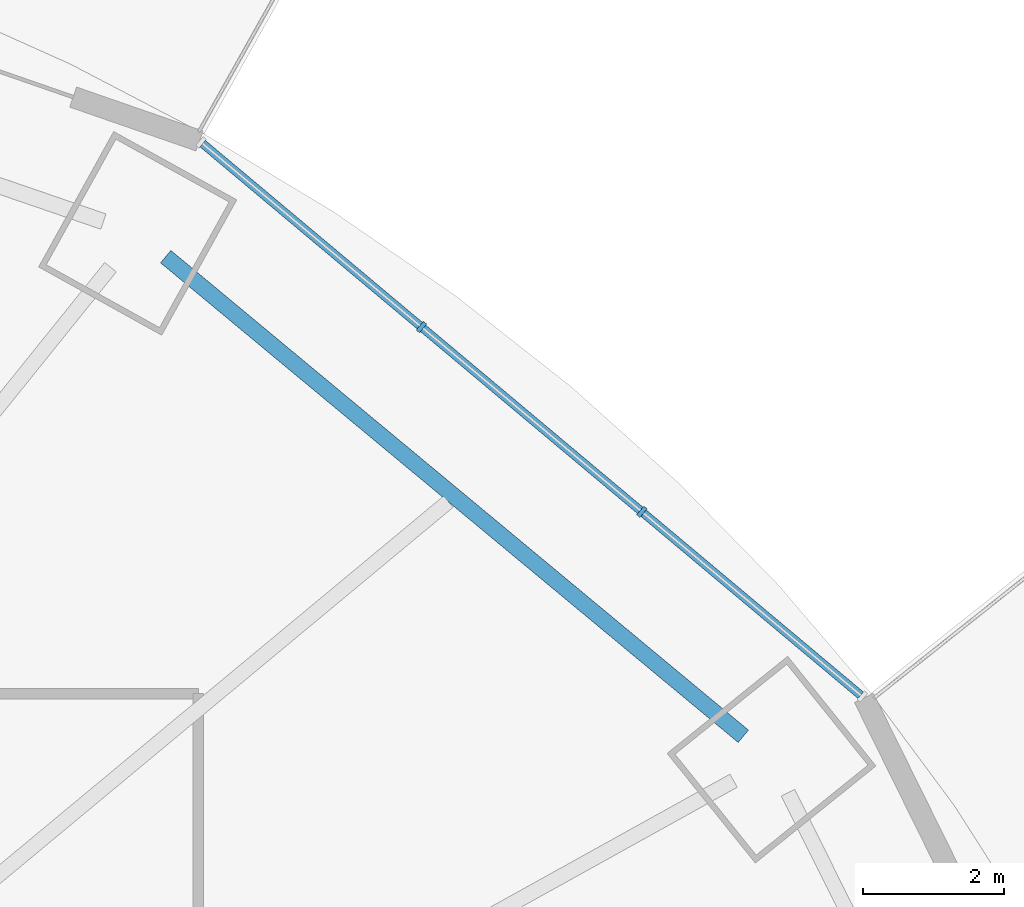
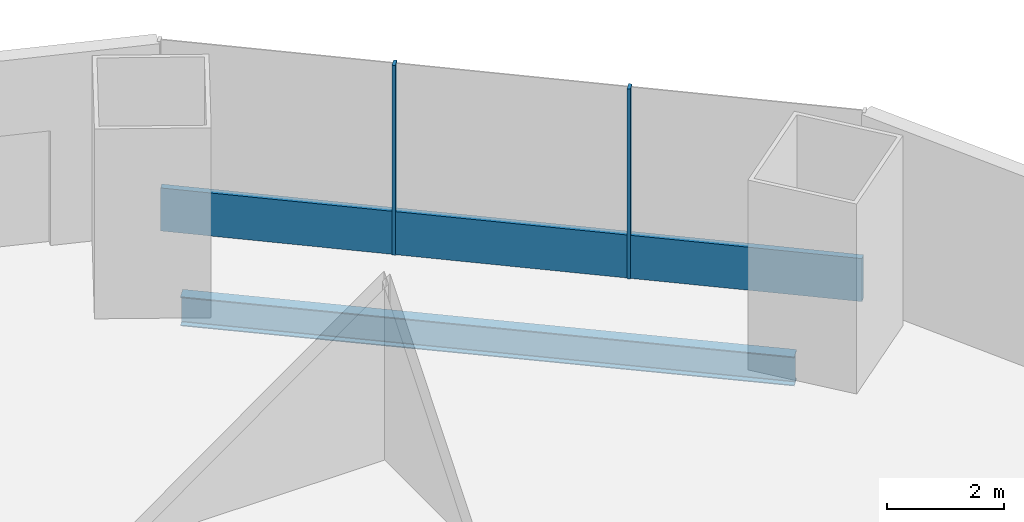
# One storey, part 10 of 22: 3 members, 1 beam, 1 element without a shape of its own.
"""IFC4 building model written with IfcOpenShell, lengths in metres."""

from ifc_helpers import new_model, si_unit, direction, frame, origin, origin_2d, place, context, subcontext, project, spatial, rectangle, i_section, extrude, material, material_profile, profile_set, type_object, element, aggregate, save


model = new_model("IFC4")

# Units and contexts
model_context = context("Model", 3, precision=1e-05, world=origin(), true_north=direction((0.0, 1.0)))
body_context = subcontext(model_context, "Body", "Model", "MODEL_VIEW")
ifc_project = project(units=[si_unit("LENGTHUNIT", "METRE"), si_unit("AREAUNIT", "SQUARE_METRE"), si_unit("VOLUMEUNIT", "CUBIC_METRE"), si_unit("PLANEANGLEUNIT", "RADIAN"), si_unit("MASSUNIT", "GRAM", prefix="KILO")], contexts=[model_context])

# Site, building, storey
site_placement = place(None, origin())
site = spatial("IfcSite", under=ifc_project, at=site_placement, CompositionType="ELEMENT")
building_placement = place(site_placement, origin())
building = spatial("IfcBuilding", under=site, at=building_placement, Name="Marenthal Gate Tower", CompositionType="ELEMENT")
storey_placement = place(building_placement, frame((0.0, 0.0, 111.85009765625)))
storey = spatial("IfcBuildingStorey", under=building, at=storey_placement, Name="L23", CompositionType="ELEMENT", Elevation=111.85009765625)

# Curtain wall, members
ifc_material_1 = material(Name="Aluminium and glass", Category="aluminium")
curtain_wall_type = type_object("IfcCurtainWallType", Name="Curtain wall typical low", PredefinedType="NOTDEFINED", material=ifc_material_1)
curtain_wall_placement = place(storey_placement, origin())
curtain_wall = element("IfcCurtainWall", 1, at=curtain_wall_placement, inside=storey, type_object=curtain_wall_type, Name="Curtain wall L23 bay 2", PredefinedType="NOTDEFINED")
ifc_material_2 = material(Name="Aluminium", Category="aluminium")
ifc_material_profile_1 = material_profile(ifc_material_2, rectangle(XDim=0.159912109375, YDim=0.06005859375, at=origin_2d()), Name="60x160 aluminium mullion")
ifc_profile_set_1 = profile_set([ifc_material_profile_1], Name="Aluminium")
member_type_1 = type_object("IfcMemberType", Name="Mullion 60x160 typical low", PredefinedType="MULLION", material=ifc_profile_set_1)
member_1_placement = place(storey_placement, frame((25.302490234375, 18.5830078125, 0.0), z_axis=(0.0, 0.0, 1.0), x_axis=(-0.642377082487, -0.766388728972, 0.0)))
member_1 = element("IfcMember", 2, at=member_1_placement, type_object=member_type_1, Name="Mullion L23 bay 2.2", PredefinedType="MULLION", context=body_context, shape_type="SweptSolid", body=[
    extrude(rectangle(XDim=0.159912109375, YDim=0.06005859375, at=origin_2d()), origin(), (0.0, 0.0, 1.0), 3.969970703125),
])
member_2_placement = place(storey_placement, frame((22.170166015625, 21.20849609375, 0.0), z_axis=(0.0, 0.0, 1.0), x_axis=(-0.642377082487, -0.766388728972, 0.0)))
member_2 = element("IfcMember", 3, at=member_2_placement, type_object=member_type_1, Name="Mullion L23 bay 2.3", PredefinedType="MULLION", context=body_context, shape_type="SweptSolid", body=[
    extrude(rectangle(XDim=0.159912109375, YDim=0.06005859375, at=origin_2d()), origin(), (0.0, 0.0, 1.0), 3.969970703125),
])
ifc_material_3 = material(Name="Aluminium", Category="aluminium")
ifc_material_profile_2 = material_profile(ifc_material_3, rectangle(XDim=0.1201171875, YDim=0.89990234375, at=origin_2d()), Name="120x900 aluminium transom")
ifc_profile_set_2 = profile_set([ifc_material_profile_2], Name="Aluminium")
member_type_2 = type_object("IfcMemberType", Name="Transom 120x900 typical low", PredefinedType="USERDEFINED", material=ifc_profile_set_2)
member_3_placement = place(storey_placement, frame((28.411865234375, 15.976806640625, 0.449951171875), z_axis=(-0.766391084467, 0.64237427225, 0.0), x_axis=(-0.64237427225, -0.766391084467, 0.0)))
member_3 = element("IfcMember", 4, at=member_3_placement, type_object=member_type_2, Name="Transom L23 bay 2", ObjectType="TRANSOM", PredefinedType="USERDEFINED", context=body_context, shape_type="SweptSolid", body=[
    extrude(rectangle(XDim=0.1201171875, YDim=0.89990234375, at=origin_2d()), origin(), (0.0, 0.0, 1.0), 12.201416015625),
])
aggregate(curtain_wall, [member_1, member_2, member_3])

# Beam
ifc_material_4 = material(Name="Steel S355", Category="steel")
ifc_material_profile_3 = material_profile(ifc_material_4, i_section(OverallWidth=0.22900390625, OverallDepth=0.612060546875, WebThickness=0.011962890625, FlangeThickness=0.01953125, FilletRadius=0.0126953125, at=origin_2d()), Name="W610X125")
ifc_profile_set_3 = profile_set([ifc_material_profile_3], Name="Steel S355")
beam_type = type_object("IfcBeamType", Name="W610X125 beam", PredefinedType="BEAM", material=ifc_profile_set_3)
beam_placement = place(storey_placement, frame((26.743896484375, 15.392822265625, -0.486083984375), z_axis=(-0.769349195684, 0.638828470796, 0.0), x_axis=(-0.638828470796, -0.769349195684, 0.0)))
element("IfcBeam", 5, at=beam_placement, inside=storey, type_object=beam_type, Name="BM-L23-42", PredefinedType="BEAM", context=body_context, shape_type="SweptSolid", body=[
    extrude(i_section(OverallWidth=0.22900390625, OverallDepth=0.612060546875, WebThickness=0.011962890625, FlangeThickness=0.01953125, FilletRadius=0.0126953125, at=origin_2d()), origin(), (0.0, 0.0, 1.0), 10.66943359375),
])

save(model, "model.ifc")
